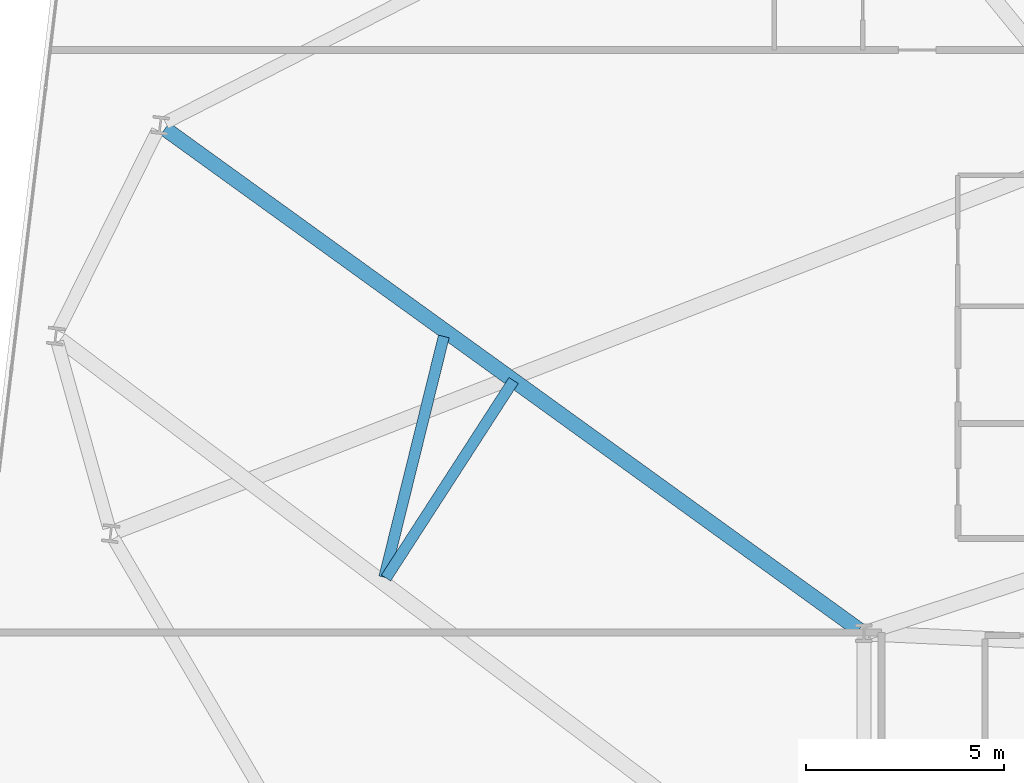
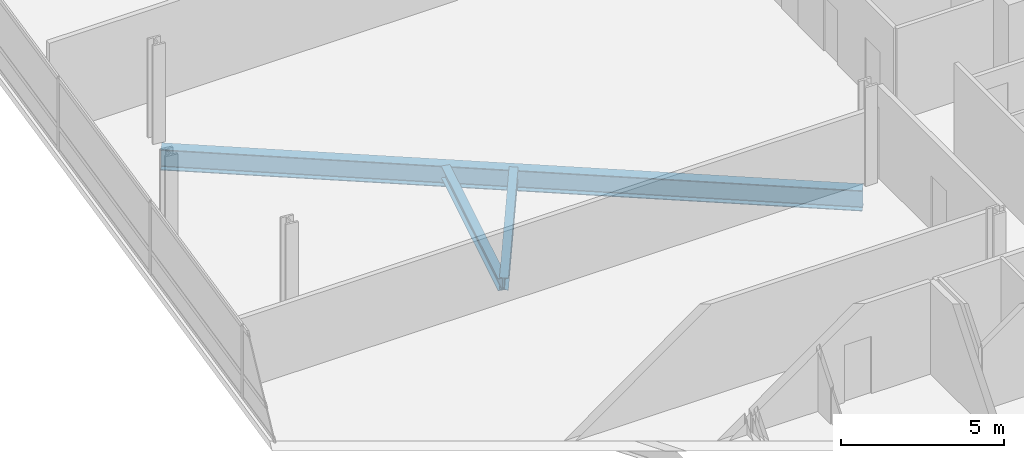
# One storey, part 9 of 26: 3 beams.
"""IFC4 building model written with IfcOpenShell, lengths in metres."""

from ifc_helpers import new_model, si_unit, direction, frame, origin, origin_2d, place, context, subcontext, project, spatial, i_section, extrude, material, material_profile, profile_set, type_object, element, save


model = new_model("IFC4")

# Units and contexts
model_context = context("Model", 3, precision=1e-05, world=origin(), true_north=direction((0.0, 1.0)))
body_context = subcontext(model_context, "Body", "Model", "MODEL_VIEW")
ifc_project = project(units=[si_unit("LENGTHUNIT", "METRE"), si_unit("AREAUNIT", "SQUARE_METRE"), si_unit("VOLUMEUNIT", "CUBIC_METRE"), si_unit("PLANEANGLEUNIT", "RADIAN"), si_unit("MASSUNIT", "GRAM", prefix="KILO")], contexts=[model_context])

# Site, building, storey
site_placement = place(None, origin())
site = spatial("IfcSite", under=ifc_project, at=site_placement, CompositionType="ELEMENT")
building_placement = place(site_placement, origin())
building = spatial("IfcBuilding", under=site, at=building_placement, Name="Varnelok Gate Tower", CompositionType="ELEMENT")
storey_placement = place(building_placement, frame((0.0, 0.0, 125.39990234375)))
storey = spatial("IfcBuildingStorey", under=building, at=storey_placement, Name="L31", CompositionType="ELEMENT", Elevation=125.39990234375)

# Beams
ifc_material = material(Name="Structural Steel ASTM A992 Grade 50", Category="steel")
ifc_material_profile_1 = material_profile(ifc_material, i_section(OverallWidth=0.280029296875, OverallDepth=0.462890625, WebThickness=0.0107421875, FlangeThickness=0.017333984375, FilletRadius=0.014892578125, at=origin_2d()), Name="W18X76")
ifc_profile_set_1 = profile_set([ifc_material_profile_1], Name="Structural Steel ASTM A992 Grade 50")
beam_type_1 = type_object("IfcBeamType", Name="BM-JST-W18X76", PredefinedType="JOIST", material=ifc_profile_set_1)
beam_1_placement = place(storey_placement, frame((13.779541015625, 34.187255859375, -0.4814453125), z_axis=(-0.239879686603, -0.970802624613, 0.0), x_axis=(0.970802624613, -0.239879686603, 0.0)))
element("IfcBeam", 1, at=beam_1_placement, inside=storey, type_object=beam_type_1, Name="L31 Sector Floor Joist 11", PredefinedType="JOIST", context=body_context, shape_type="SweptSolid", body=[
    extrude(i_section(OverallWidth=0.280029296875, OverallDepth=0.462890625, WebThickness=0.0107421875, FlangeThickness=0.017333984375, FilletRadius=0.014892578125, at=origin_2d()), origin(), (0.0, 0.0, 1.0), 6.2744140625),
])
beam_2_placement = place(storey_placement, frame((12.31689453125, 28.07763671875, -0.4814453125), z_axis=(0.542667262131, 0.839947761835, 0.0), x_axis=(-0.839947761835, 0.542667262131, 0.0)))
element("IfcBeam", 2, at=beam_2_placement, inside=storey, type_object=beam_type_1, Name="L31 Sector Floor Joist 12", PredefinedType="JOIST", context=body_context, shape_type="SweptSolid", body=[
    extrude(i_section(OverallWidth=0.280029296875, OverallDepth=0.462890625, WebThickness=0.0107421875, FlangeThickness=0.017333984375, FilletRadius=0.014892578125, at=origin_2d()), origin(), (0.0, 0.0, 1.0), 5.946533203125),
])
ifc_material_profile_2 = material_profile(ifc_material, i_section(OverallWidth=0.381103515625, OverallDepth=0.77294921875, WebThickness=0.0166015625, FlangeThickness=0.027099609375, FilletRadius=0.02197265625, at=origin_2d()), Name="W30X173")
ifc_profile_set_2 = profile_set([ifc_material_profile_2], Name="Structural Steel ASTM A992 Grade 50")
beam_type_2 = type_object("IfcBeamType", Name="BM-PRI-W30X173", PredefinedType="BEAM", material=ifc_profile_set_2)
beam_3_placement = place(storey_placement, frame((24.2783203125, 26.767822265625, -0.636474609375), z_axis=(-0.810778258155, 0.585353411286, 0.0), x_axis=(-0.585353411286, -0.810778258155, 0.0)))
element("IfcBeam", 3, at=beam_3_placement, inside=storey, type_object=beam_type_2, Name="L31 Radial Floor Girder 14", PredefinedType="BEAM", context=body_context, shape_type="SweptSolid", body=[
    extrude(i_section(OverallWidth=0.381103515625, OverallDepth=0.77294921875, WebThickness=0.0166015625, FlangeThickness=0.027099609375, FilletRadius=0.02197265625, at=origin_2d()), origin(), (0.0, 0.0, 1.0), 21.645263671875),
])

save(model, "model.ifc")
